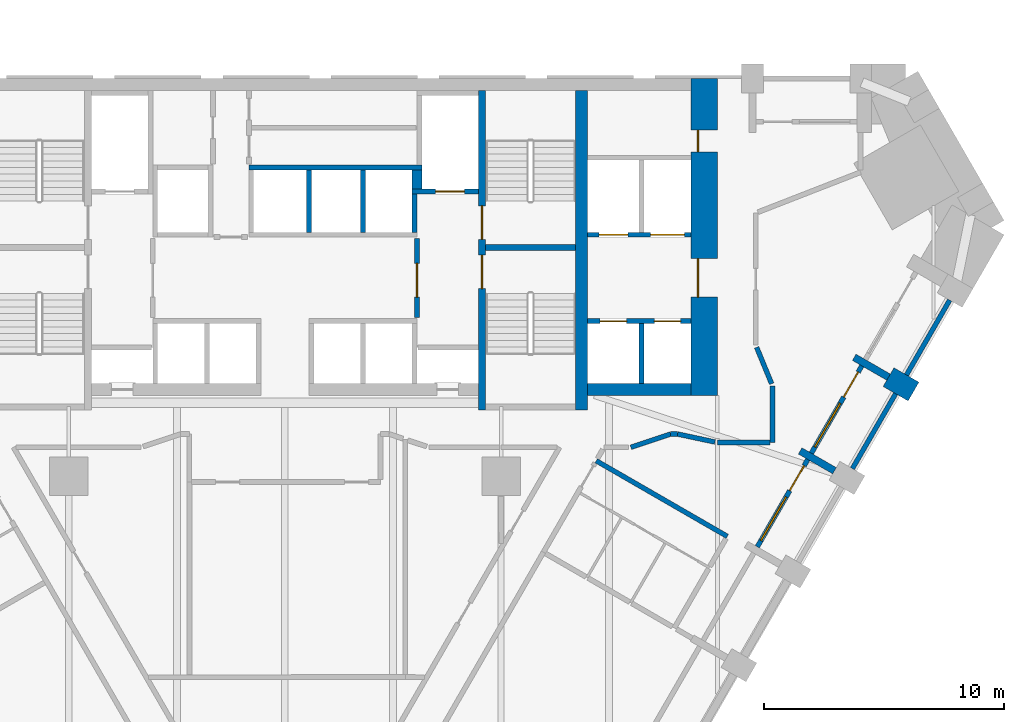
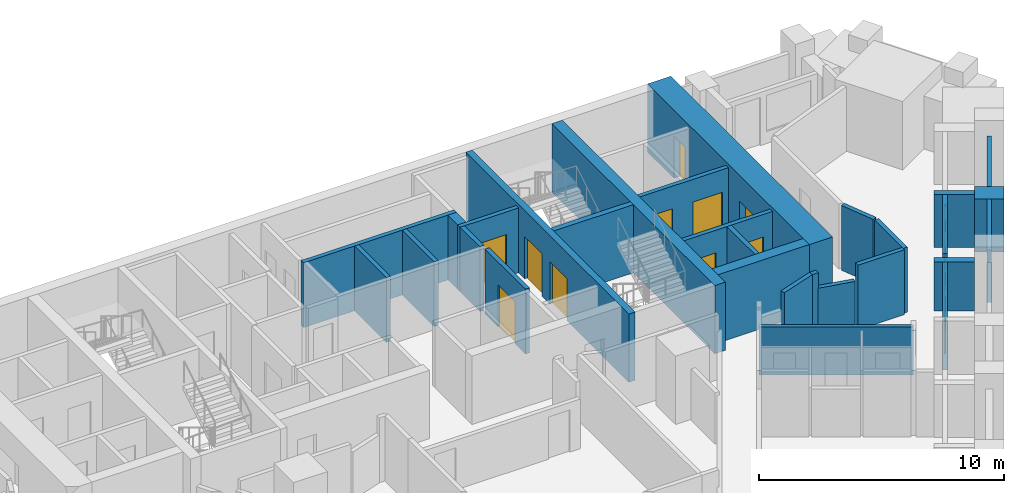
# One storey, part 7 of 10: 29 walls, 12 doors, 2 windows, 14 openings.
"""IFC4 building model written with IfcOpenShell, lengths in metres."""

from ifc_helpers import new_model, si_unit, direction, frame, frame_2d, origin, place, context, subcontext, project, spatial, rectangle, extrude, material, layer, layer_set, type_object, element, fill, save


model = new_model("IFC4")

# Units and contexts
model_context = context("Model", 3, precision=1e-05, world=origin(), true_north=direction((0.0, 1.0)))
body_context = subcontext(model_context, "Body", "Model", "MODEL_VIEW")
ifc_project = project(units=[si_unit("LENGTHUNIT", "METRE"), si_unit("AREAUNIT", "SQUARE_METRE"), si_unit("VOLUMEUNIT", "CUBIC_METRE"), si_unit("PLANEANGLEUNIT", "RADIAN"), si_unit("MASSUNIT", "GRAM", prefix="KILO")], contexts=[model_context])

# Site, building, storey
site_placement = place(None, origin())
site = spatial("IfcSite", under=ifc_project, at=site_placement, CompositionType="ELEMENT")
building_placement = place(site_placement, origin())
building = spatial("IfcBuilding", under=site, at=building_placement, Name="Calabash Gate Tower", CompositionType="ELEMENT")
storey_placement = place(building_placement, frame((0.0, 0.0, 56.199951171875)))
storey = spatial("IfcBuildingStorey", under=building, at=storey_placement, Name="L09", CompositionType="ELEMENT", Elevation=56.199951171875)

# Walls
ifc_material_1 = material(Name="Terracotta brick masonry, exposed face", Category="masonry")
ifc_layer_1 = layer(ifc_material_1, 1.199951171875)
ifc_layer_set_1 = layer_set([ifc_layer_1], Name="Brick end wall 1200")
wall_type_1 = type_object("IfcWallType", Name="Brick end wall 1200", PredefinedType="SOLIDWALL", material=ifc_layer_set_1)
wall_1_placement = place(storey_placement, frame((26.168701171875, 6.0205078125, 0.0), z_axis=(0.0, 0.0, 1.0), x_axis=(-0.865955154139, 0.50012165622, 0.0)))
element("IfcWall", 1, at=wall_1_placement, inside=storey, type_object=wall_type_1, Name="Brick pier S02 SE2.9", PredefinedType="SOLIDWALL", context=body_context, shape_type="SweptSolid", body=[
    extrude(rectangle(XDim=1.199951171875, YDim=0.89990234375, at=frame_2d((0.60009765625, 0.0))), origin(), (0.0, 0.0, 1.0), 2.630126953125),
])
ifc_material_2 = material(Name="Terracotta brick masonry, exposed face", Category="masonry")
ifc_layer_2 = layer(ifc_material_2, 0.300048828125)
ifc_layer_set_2 = layer_set([ifc_layer_2], Name="Brick loggia cheek wall 300")
wall_type_2 = type_object("IfcWallType", Name="Brick loggia cheek wall 300", PredefinedType="SOLIDWALL", material=ifc_layer_set_2)
wall_2_placement = place(storey_placement, frame((22.879638671875, 2.723388671875, 0.0), z_axis=(0.0, 0.0, 1.0), x_axis=(-0.866040211805, 0.499974350878, 0.0)))
element("IfcWall", 2, at=wall_2_placement, inside=storey, type_object=wall_type_2, Name="Loggia cheek S02 SE2.8", PredefinedType="SOLIDWALL", context=body_context, shape_type="SweptSolid", body=[
    extrude(rectangle(XDim=1.64990234375, YDim=0.300048828125, at=frame_2d((0.824951171875, 0.0))), origin(), (0.0, 0.0, 1.0), 2.4501953125),
])
wall_3_placement = place(storey_placement, frame((25.129638671875, 6.62060546875, 0.0), z_axis=(0.0, 0.0, 1.0), x_axis=(-0.866040211805, 0.499974350878, 0.0)))
element("IfcWall", 3, at=wall_3_placement, inside=storey, type_object=wall_type_2, Name="Loggia cheek S02 SE2.9", PredefinedType="SOLIDWALL", context=body_context, shape_type="SweptSolid", body=[
    extrude(rectangle(XDim=1.64990234375, YDim=0.300048828125, at=frame_2d((0.824951171875, 0.0))), origin(), (0.0, 0.0, 1.0), 2.650146484375),
])

# Wall, openings, doors
ifc_material_3 = material(Name="Concrete C80/95", Category="concrete")
ifc_layer_3 = layer(ifc_material_3, 1.10009765625)
ifc_layer_set_3 = layer_set([ifc_layer_3], Name="Core wall 1100 Concrete C80/95")
wall_type_3 = type_object("IfcWallType", Name="Core wall 1100 Concrete C80/95", PredefinedType="SHEAR", material=ifc_layer_set_3)
wall_4_placement = place(storey_placement, frame((17.449951171875, 5.8525390625, 0.0), z_axis=(0.0, 0.0, 1.0), x_axis=(0.0, 1.0, 0.0)))
wall_4 = element("IfcWall", 4, at=wall_4_placement, inside=storey, type_object=wall_type_3, Name="Core wall Z1-ENDE L09", PredefinedType="SHEAR", context=body_context, shape_type="SweptSolid", body=[
    extrude(rectangle(XDim=13.199951171875, YDim=1.10009765625, at=frame_2d((6.60009765625, 0.0))), origin(), (0.0, 0.0, 1.0), 3.400146484375),
])
opening_1_placement = place(wall_4_placement, frame((4.10009765625, 0.0, 0.0)))
opening_1 = element("IfcOpeningElement", 5, at=opening_1_placement, cuts=wall_4, Name="Opening H2-002", PredefinedType="OPENING", context=body_context, shape_type="SweptSolid", body=[
    extrude(rectangle(XDim=1.60009765625, YDim=2.10009765625, at=frame_2d((0.800048828125, 1.050048828125))), frame((0.0, 0.56005859375, 0.0), z_axis=(0.0, -1.0, 0.0), x_axis=(1.0, 0.0, 0.0)), (0.0, 0.0, 1.0), 1.1201171875),
])
opening_2_placement = place(wall_4_placement, frame((10.14990234375, 0.0, 0.0)))
opening_2 = element("IfcOpeningElement", 6, at=opening_2_placement, cuts=wall_4, Name="Opening H2-001", PredefinedType="OPENING", context=body_context, shape_type="SweptSolid", body=[
    extrude(rectangle(XDim=0.89990234375, YDim=2.10009765625, at=frame_2d((0.449951171875, 1.050048828125))), frame((0.0, 0.56005859375, 0.0), z_axis=(0.0, -1.0, 0.0), x_axis=(1.0, 0.0, 0.0)), (0.0, 0.0, 1.0), 1.1201171875),
])
ifc_material_4 = material(Name="Steel fire door set with fire-resisting glazing", Category="steel")
door_type_1 = type_object("IfcDoorType", Name="Double fire door D08 1600x2100 FD60", OperationType="DOUBLE_DOOR_SINGLE_SWING", PredefinedType="DOOR", material=ifc_material_4)
door_1_placement = place(opening_1_placement, origin())
door_1 = element("IfcDoor", 7, at=door_1_placement, inside=storey, type_object=door_type_1, Name="Low-rise Lift Lobby E door", OperationType="DOUBLE_DOOR_SINGLE_SWING", OverallHeight=2.10009765625, OverallWidth=1.60009765625, PredefinedType="DOOR", context=body_context, shape_type="SweptSolid", body=[
    extrude(rectangle(XDim=1.60009765625, YDim=2.10009765625, at=frame_2d((0.800048828125, 1.050048828125))), frame((0.0, 0.27490234375, 0.0), z_axis=(0.0, -1.0, 0.0), x_axis=(1.0, 0.0, 0.0)), (0.0, 0.0, 1.0), 0.050048828125),
])
fill(opening_1, door_1)
ifc_material_5 = material(Name="Steel fire door set with fire-resisting glazing", Category="steel")
door_type_2 = type_object("IfcDoorType", Name="Fire door D06 900x2100 FD60", OperationType="NOTDEFINED", PredefinedType="DOOR", material=ifc_material_5)
door_2_placement = place(opening_2_placement, origin())
door_2 = element("IfcDoor", 8, at=door_2_placement, inside=storey, type_object=door_type_2, Name="Luggage Store door", OperationType="SINGLE_SWING_LEFT", OverallHeight=2.10009765625, OverallWidth=0.89990234375, PredefinedType="DOOR", context=body_context, shape_type="SweptSolid", body=[
    extrude(rectangle(XDim=0.89990234375, YDim=2.10009765625, at=frame_2d((0.449951171875, 1.050048828125))), frame((0.0, 0.27490234375, 0.0), z_axis=(0.0, -1.0, 0.0), x_axis=(1.0, 0.0, 0.0)), (0.0, 0.0, 1.0), 0.050048828125),
])
fill(opening_2, door_2)

# Wall
ifc_material_6 = material(Name="Concrete C80/95", Category="concrete")
ifc_layer_4 = layer(ifc_material_6, 0.25)
ifc_layer_set_4 = layer_set([ifc_layer_4], Name="Core wall 250 Concrete C80/95")
wall_type_4 = type_object("IfcWallType", Name="Core wall 250 Concrete C80/95", PredefinedType="SHEAR", material=ifc_layer_set_4)
wall_5_placement = place(storey_placement, frame((8.35009765625, 12.027587890625, 0.0), z_axis=(0.0, 0.0, 1.0), x_axis=(1.0, 0.0, 0.0)))
element("IfcWall", 9, at=wall_5_placement, inside=storey, type_object=wall_type_4, Name="Core wall Z1-MIDE L09", PredefinedType="SHEAR", context=body_context, shape_type="SweptSolid", body=[
    extrude(rectangle(XDim=3.75, YDim=0.25, at=frame_2d((1.875, 0.0))), origin(), (0.0, 0.0, 1.0), 3.400146484375),
])

# Wall, openings, doors
ifc_material_7 = material(Name="Concrete C80/95", Category="concrete")
ifc_layer_5 = layer(ifc_material_7, 0.300048828125)
ifc_layer_set_5 = layer_set([ifc_layer_5], Name="Core wall 300 Concrete C80/95")
wall_type_5 = type_object("IfcWallType", Name="Core wall 300 Concrete C80/95", PredefinedType="SHEAR", material=ifc_layer_set_5)
wall_6_placement = place(storey_placement, frame((8.199951171875, 5.252685546875, 0.0), z_axis=(0.0, 0.0, 1.0), x_axis=(0.0, 1.0, 0.0)))
wall_6 = element("IfcWall", 10, at=wall_6_placement, inside=storey, type_object=wall_type_5, Name="Core wall Z1-PARTE L09", PredefinedType="SHEAR", context=body_context, shape_type="SweptSolid", body=[
    extrude(rectangle(XDim=13.2998046875, YDim=0.300048828125, at=frame_2d((6.64990234375, 0.0))), origin(), (0.0, 0.0, 1.0), 3.400146484375),
])
opening_3_placement = place(wall_6_placement, frame((7.10009765625, 0.0, 0.0)))
opening_3 = element("IfcOpeningElement", 11, at=opening_3_placement, cuts=wall_6, Name="Opening H2-015", PredefinedType="OPENING", context=body_context, shape_type="SweptSolid", body=[
    extrude(rectangle(XDim=1.39990234375, YDim=2.10009765625, at=frame_2d((0.699951171875, 1.050048828125))), frame((0.0, 0.159912109375, 0.0), z_axis=(0.0, -1.0, 0.0), x_axis=(1.0, 0.0, 0.0)), (0.0, 0.0, 1.0), 0.320068359375),
])
opening_4_placement = place(wall_6_placement, frame((5.050048828125, 0.0, 0.0)))
opening_4 = element("IfcOpeningElement", 12, at=opening_4_placement, cuts=wall_6, Name="Opening H2-016", PredefinedType="OPENING", context=body_context, shape_type="SweptSolid", body=[
    extrude(rectangle(XDim=1.39990234375, YDim=2.10009765625, at=frame_2d((0.699951171875, 1.050048828125))), frame((0.0, 0.159912109375, 0.0), z_axis=(0.0, -1.0, 0.0), x_axis=(1.0, 0.0, 0.0)), (0.0, 0.0, 1.0), 0.320068359375),
])
ifc_material_8 = material(Name="Steel fire door set with fire-resisting glazing", Category="steel")
door_type_3 = type_object("IfcDoorType", Name="Fire door D05 1400x2100 FD90", OperationType="NOTDEFINED", PredefinedType="DOOR", material=ifc_material_8)
door_3_placement = place(opening_3_placement, origin())
door_3 = element("IfcDoor", 13, at=door_3_placement, inside=storey, type_object=door_type_3, Name="Exit stair door ST3", OperationType="SINGLE_SWING_RIGHT", OverallHeight=2.10009765625, OverallWidth=1.39990234375, PredefinedType="DOOR", context=body_context, shape_type="SweptSolid", body=[
    extrude(rectangle(XDim=1.39990234375, YDim=2.10009765625, at=frame_2d((0.699951171875, 1.050048828125))), frame((0.0, 0.02490234375, 0.0), z_axis=(0.0, -1.0, 0.0), x_axis=(1.0, 0.0, 0.0)), (0.0, 0.0, 1.0), 0.050048828125),
])
fill(opening_3, door_3)
door_4_placement = place(opening_4_placement, origin())
door_4 = element("IfcDoor", 14, at=door_4_placement, inside=storey, type_object=door_type_3, Name="Exit stair door ST4", OperationType="SINGLE_SWING_LEFT", OverallHeight=2.10009765625, OverallWidth=1.39990234375, PredefinedType="DOOR", context=body_context, shape_type="SweptSolid", body=[
    extrude(rectangle(XDim=1.39990234375, YDim=2.10009765625, at=frame_2d((0.699951171875, 1.050048828125))), frame((0.0, 0.02490234375, 0.0), z_axis=(0.0, -1.0, 0.0), x_axis=(1.0, 0.0, 0.0)), (0.0, 0.0, 1.0), 0.050048828125),
])
fill(opening_4, door_4)

# Walls
ifc_material_9 = material(Name="Concrete C80/95", Category="concrete")
ifc_layer_6 = layer(ifc_material_9, 0.5)
ifc_layer_set_6 = layer_set([ifc_layer_6], Name="Core wall 500 Concrete C80/95")
wall_type_6 = type_object("IfcWallType", Name="Core wall 500 Concrete C80/95", PredefinedType="SHEAR", material=ifc_layer_set_6)
wall_7_placement = place(storey_placement, frame((12.35009765625, 5.252685546875, 0.0), z_axis=(0.0, 0.0, 1.0), x_axis=(0.0, 1.0, 0.0)))
element("IfcWall", 15, at=wall_7_placement, inside=storey, type_object=wall_type_6, Name="Core wall Z1-COLE L09", PredefinedType="SHEAR", context=body_context, shape_type="SweptSolid", body=[
    extrude(rectangle(XDim=13.2998046875, YDim=0.5, at=frame_2d((6.64990234375, 0.0))), origin(), (0.0, 0.0, 1.0), 3.400146484375),
])
wall_8_placement = place(storey_placement, frame((12.60009765625, 6.1025390625, 0.0), z_axis=(0.0, 0.0, 1.0), x_axis=(1.0, 0.0, 0.0)))
element("IfcWall", 16, at=wall_8_placement, inside=storey, type_object=wall_type_6, Name="Core wall Z1-SE L09", PredefinedType="SHEAR", context=body_context, shape_type="SweptSolid", body=[
    extrude(rectangle(XDim=4.2998046875, YDim=0.5, at=frame_2d((2.14990234375, 0.0))), origin(), (0.0, 0.0, 1.0), 3.400146484375),
])
ifc_material_10 = material(Name="Gypsum board on steel studs, mineral wool", Category="steel")
ifc_layer_7 = layer(ifc_material_10, 0.199951171875)
ifc_layer_set_7 = layer_set([ifc_layer_7], Name="Partition 200 gypsum board EI 60")
wall_type_7 = type_object("IfcWallType", Name="Partition 200 gypsum board EI 60", PredefinedType="PARTITIONING", material=ifc_layer_set_7)
wall_9_placement = place(storey_placement, frame((12.96044921875, 3.138916015625, 0.0), z_axis=(0.0, 0.0, 1.0), x_axis=(0.866164933594, -0.499758249369, 0.0)))
element("IfcWall", 17, at=wall_9_placement, inside=storey, type_object=wall_type_7, Name="Partition", PredefinedType="PARTITIONING", context=body_context, shape_type="SweptSolid", body=[
    extrude(rectangle(XDim=6.2978515625, YDim=0.199951171875, at=frame_2d((3.14892578125, 0.0))), origin(), (0.0, 0.0, 1.0), 2.384033203125),
])
wall_10_placement = place(storey_placement, frame((14.400146484375, 3.699462890625, 0.0), z_axis=(0.0, 0.0, 1.0), x_axis=(0.948655351627, 0.316311592943, 0.0)))
element("IfcWall", 18, at=wall_10_placement, inside=storey, type_object=wall_type_7, Name="Partition", PredefinedType="PARTITIONING", context=body_context, shape_type="SweptSolid", body=[
    extrude(rectangle(XDim=1.747314453125, YDim=0.199951171875, at=frame_2d((0.87353515625, 0.0))), origin(), (0.0, 0.0, 1.0), 3.22998046875),
])
wall_11_placement = place(storey_placement, frame((18.0, 3.8994140625, 0.0), z_axis=(0.0, 0.0, 1.0), x_axis=(0.999999975374, 0.000221926315, 0.0)))
element("IfcWall", 19, at=wall_11_placement, inside=storey, type_object=wall_type_7, Name="Partition", PredefinedType="PARTITIONING", context=body_context, shape_type="SweptSolid", body=[
    extrude(rectangle(XDim=2.2001953125, YDim=0.199951171875, at=frame_2d((1.10009765625, 0.0))), origin(), (0.0, 0.0, 1.0), 3.22998046875),
])
wall_12_placement = place(storey_placement, frame((20.30029296875, 3.89990234375, 0.0), z_axis=(0.0, 0.0, 1.0), x_axis=(0.000103766732, 0.999999994616, 0.0)))
element("IfcWall", 20, at=wall_12_placement, inside=storey, type_object=wall_type_7, Name="Partition", PredefinedType="PARTITIONING", context=body_context, shape_type="SweptSolid", body=[
    extrude(rectangle(XDim=2.352783203125, YDim=0.199951171875, at=frame_2d((1.17626953125, 0.0))), origin(), (0.0, 0.0, 1.0), 3.22998046875),
])
wall_13_placement = place(storey_placement, frame((16.057861328125, 4.252197265625, 0.0), z_axis=(0.0, 0.0, 1.0), x_axis=(1.0, 0.0, 0.0)))
element("IfcWall", 21, at=wall_13_placement, inside=storey, type_object=wall_type_7, Name="Partition", PredefinedType="PARTITIONING", context=body_context, shape_type="SweptSolid", body=[
    extrude(rectangle(XDim=0.284423828125, YDim=0.199951171875, at=frame_2d((0.14208984375, 0.0))), origin(), (0.0, 0.0, 1.0), 3.22998046875),
])
wall_14_placement = place(storey_placement, frame((16.34228515625, 4.252197265625, 0.0), z_axis=(0.0, 0.0, 1.0), x_axis=(0.978117199083, -0.208054667953, 0.0)))
element("IfcWall", 22, at=wall_14_placement, inside=storey, type_object=wall_type_7, Name="Partition", PredefinedType="PARTITIONING", context=body_context, shape_type="SweptSolid", body=[
    extrude(rectangle(XDim=1.5947265625, YDim=0.199951171875, at=frame_2d((0.79736328125, 0.0))), origin(), (0.0, 0.0, 1.0), 2.4501953125),
])
wall_15_placement = place(storey_placement, frame((19.638671875, 7.860107421875, 0.0), z_axis=(0.0, 0.0, 1.0), x_axis=(0.380749805254, -0.924678098475, 0.0)))
element("IfcWall", 23, at=wall_15_placement, inside=storey, type_object=wall_type_7, Name="Partition", PredefinedType="PARTITIONING", context=body_context, shape_type="SweptSolid", body=[
    extrude(rectangle(XDim=1.63818359375, YDim=0.199951171875, at=frame_2d((0.819091796875, 0.0))), origin(), (0.0, 0.0, 1.0), 3.22998046875),
])
ifc_material_11 = material(Name="Concrete C40/50", Category="concrete")
ifc_layer_8 = layer(ifc_material_11, 0.199951171875)
ifc_layer_set_8 = layer_set([ifc_layer_8], Name="Shaft wall 200 Concrete C40/50")
wall_type_8 = type_object("IfcWallType", Name="Shaft wall 200 Concrete C40/50", PredefinedType="SOLIDWALL", material=ifc_layer_set_8)
wall_16_placement = place(storey_placement, frame((14.85009765625, 6.3525390625, 0.0), z_axis=(0.0, 0.0, 1.0), x_axis=(0.0, 1.0, 0.0)))
element("IfcWall", 24, at=wall_16_placement, inside=storey, type_object=wall_type_8, Name="Shaft wall", PredefinedType="SOLIDWALL", context=body_context, shape_type="SweptSolid", body=[
    extrude(rectangle(XDim=2.5, YDim=0.199951171875, at=frame_2d((1.25, 0.0))), origin(), (0.0, 0.0, 1.0), 3.22998046875),
])

# Wall, openings, doors
wall_17_placement = place(storey_placement, frame((12.60009765625, 8.95263671875, 0.0), z_axis=(0.0, 0.0, 1.0), x_axis=(1.0, 0.0, 0.0)))
wall_17 = element("IfcWall", 25, at=wall_17_placement, inside=storey, type_object=wall_type_8, Name="Shaft wall", PredefinedType="SOLIDWALL", context=body_context, shape_type="SweptSolid", body=[
    extrude(rectangle(XDim=4.2998046875, YDim=0.199951171875, at=frame_2d((2.14990234375, 0.0))), origin(), (0.0, 0.0, 1.0), 3.22998046875),
])
opening_5_placement = place(wall_17_placement, frame((0.52490234375, 0.0, 0.0)))
opening_5 = element("IfcOpeningElement", 26, at=opening_5_placement, cuts=wall_17, Name="Opening LD-LR5", PredefinedType="OPENING", context=body_context, shape_type="SweptSolid", body=[
    extrude(rectangle(XDim=1.10009765625, YDim=2.10009765625, at=frame_2d((0.550048828125, 1.050048828125))), frame((0.0, 0.10986328125, 0.0), z_axis=(0.0, -1.0, 0.0), x_axis=(1.0, 0.0, 0.0)), (0.0, 0.0, 1.0), 0.219970703125),
])
opening_6_placement = place(wall_17_placement, frame((2.77490234375, 0.0, 0.0)))
opening_6 = element("IfcOpeningElement", 27, at=opening_6_placement, cuts=wall_17, Name="Opening LD-LR6", PredefinedType="OPENING", context=body_context, shape_type="SweptSolid", body=[
    extrude(rectangle(XDim=1.10009765625, YDim=2.10009765625, at=frame_2d((0.550048828125, 1.050048828125))), frame((0.0, 0.10986328125, 0.0), z_axis=(0.0, -1.0, 0.0), x_axis=(1.0, 0.0, 0.0)), (0.0, 0.0, 1.0), 0.219970703125),
])
ifc_material_12 = material(Name="Stainless steel sliding door leaves", Category="steel")
door_type_4 = type_object("IfcDoorType", Name="Lift landing door LS1 1100x2100 FD90", OperationType="DOUBLE_DOOR_SLIDING", PredefinedType="DOOR", material=ifc_material_12)
door_5_placement = place(opening_5_placement, origin())
door_5 = element("IfcDoor", 28, at=door_5_placement, inside=storey, type_object=door_type_4, Name="Lift landing door LR5", OperationType="DOUBLE_DOOR_SLIDING", OverallHeight=2.10009765625, OverallWidth=1.10009765625, PredefinedType="DOOR", context=body_context, shape_type="SweptSolid", body=[
    extrude(rectangle(XDim=1.10009765625, YDim=2.10009765625, at=frame_2d((0.550048828125, 1.050048828125))), frame((0.0, 0.02490234375, 0.0), z_axis=(0.0, -1.0, 0.0), x_axis=(1.0, 0.0, 0.0)), (0.0, 0.0, 1.0), 0.050048828125),
])
fill(opening_5, door_5)
door_6_placement = place(opening_6_placement, origin())
door_6 = element("IfcDoor", 29, at=door_6_placement, inside=storey, type_object=door_type_4, Name="Lift landing door LR6", OperationType="DOUBLE_DOOR_SLIDING", OverallHeight=2.10009765625, OverallWidth=1.10009765625, PredefinedType="DOOR", context=body_context, shape_type="SweptSolid", body=[
    extrude(rectangle(XDim=1.10009765625, YDim=2.10009765625, at=frame_2d((0.550048828125, 1.050048828125))), frame((0.0, 0.02490234375, 0.0), z_axis=(0.0, -1.0, 0.0), x_axis=(1.0, 0.0, 0.0)), (0.0, 0.0, 1.0), 0.050048828125),
])
fill(opening_6, door_6)

# Wall, opening, door
wall_18_placement = place(storey_placement, frame((5.5, 9.1025390625, 0.0), z_axis=(0.0, 0.0, 1.0), x_axis=(0.0, 1.0, 0.0)))
wall_18 = element("IfcWall", 30, at=wall_18_placement, inside=storey, type_object=wall_type_8, Name="Shaft wall", PredefinedType="SOLIDWALL", context=body_context, shape_type="SweptSolid", body=[
    extrude(rectangle(XDim=3.300048828125, YDim=0.199951171875, at=frame_2d((1.64990234375, 0.0))), origin(), (0.0, 0.0, 1.0), 3.22998046875),
])
opening_7_placement = place(wall_18_placement, frame((0.85009765625, 0.0, 0.0)))
opening_7 = element("IfcOpeningElement", 31, at=opening_7_placement, cuts=wall_18, Name="Opening H2-006", PredefinedType="OPENING", context=body_context, shape_type="SweptSolid", body=[
    extrude(rectangle(XDim=1.39990234375, YDim=2.10009765625, at=frame_2d((0.699951171875, 1.050048828125))), frame((0.0, 0.10986328125, 0.0), z_axis=(0.0, -1.0, 0.0), x_axis=(1.0, 0.0, 0.0)), (0.0, 0.0, 1.0), 0.219970703125),
])
door_7_placement = place(opening_7_placement, origin())
door_7 = element("IfcDoor", 32, at=door_7_placement, inside=storey, type_object=door_type_3, Name="Firefighting Lobby E door", OperationType="SINGLE_SWING_LEFT", OverallHeight=2.10009765625, OverallWidth=1.39990234375, PredefinedType="DOOR", context=body_context, shape_type="SweptSolid", body=[
    extrude(rectangle(XDim=1.39990234375, YDim=2.10009765625, at=frame_2d((0.699951171875, 1.050048828125))), frame((0.0, 0.02490234375, 0.0), z_axis=(0.0, -1.0, 0.0), x_axis=(1.0, 0.0, 0.0)), (0.0, 0.0, 1.0), 0.050048828125),
])
fill(opening_7, door_7)

# Wall, openings, doors
wall_19_placement = place(storey_placement, frame((12.60009765625, 12.552490234375, 0.0), z_axis=(0.0, 0.0, 1.0), x_axis=(1.0, 0.0, 0.0)))
wall_19 = element("IfcWall", 33, at=wall_19_placement, inside=storey, type_object=wall_type_8, Name="Shaft wall", PredefinedType="SOLIDWALL", context=body_context, shape_type="SweptSolid", body=[
    extrude(rectangle(XDim=4.2998046875, YDim=0.199951171875, at=frame_2d((2.14990234375, 0.0))), origin(), (0.0, 0.0, 1.0), 3.22998046875),
])
opening_8_placement = place(wall_19_placement, frame((0.47509765625, 0.0, 0.0)))
opening_8 = element("IfcOpeningElement", 34, at=opening_8_placement, cuts=wall_19, Name="Opening LD-SL1", PredefinedType="OPENING", context=body_context, shape_type="SweptSolid", body=[
    extrude(rectangle(XDim=1.199951171875, YDim=2.10009765625, at=frame_2d((0.60009765625, 1.050048828125))), frame((0.0, 0.10986328125, 0.0), z_axis=(0.0, -1.0, 0.0), x_axis=(1.0, 0.0, 0.0)), (0.0, 0.0, 1.0), 0.219970703125),
])
opening_9_placement = place(wall_19_placement, frame((2.625, 0.0, 0.0)))
opening_9 = element("IfcOpeningElement", 35, at=opening_9_placement, cuts=wall_19, Name="Opening LD-GL1", PredefinedType="OPENING", context=body_context, shape_type="SweptSolid", body=[
    extrude(rectangle(XDim=1.39990234375, YDim=2.10009765625, at=frame_2d((0.699951171875, 1.050048828125))), frame((0.0, 0.10986328125, 0.0), z_axis=(0.0, -1.0, 0.0), x_axis=(1.0, 0.0, 0.0)), (0.0, 0.0, 1.0), 0.219970703125),
])
ifc_material_13 = material(Name="Stainless steel sliding door leaves", Category="steel")
door_type_5 = type_object("IfcDoorType", Name="Lift landing door LS3 1200x2100 FD90", OperationType="DOUBLE_DOOR_SLIDING", PredefinedType="DOOR", material=ifc_material_13)
door_8_placement = place(opening_8_placement, origin())
door_8 = element("IfcDoor", 36, at=door_8_placement, inside=storey, type_object=door_type_5, Name="Lift landing door SL1", OperationType="DOUBLE_DOOR_SLIDING", OverallHeight=2.10009765625, OverallWidth=1.199951171875, PredefinedType="DOOR", context=body_context, shape_type="SweptSolid", body=[
    extrude(rectangle(XDim=1.199951171875, YDim=2.10009765625, at=frame_2d((0.60009765625, 1.050048828125))), frame((0.0, 0.02490234375, 0.0), z_axis=(0.0, -1.0, 0.0), x_axis=(1.0, 0.0, 0.0)), (0.0, 0.0, 1.0), 0.050048828125),
])
fill(opening_8, door_8)
ifc_material_14 = material(Name="Stainless steel sliding door leaves", Category="steel")
door_type_6 = type_object("IfcDoorType", Name="Lift landing door LS4 1400x2100 FD90", OperationType="DOUBLE_DOOR_SLIDING", PredefinedType="DOOR", material=ifc_material_14)
door_9_placement = place(opening_9_placement, origin())
door_9 = element("IfcDoor", 37, at=door_9_placement, inside=storey, type_object=door_type_6, Name="Lift landing door GL1", OperationType="DOUBLE_DOOR_SLIDING", OverallHeight=2.10009765625, OverallWidth=1.39990234375, PredefinedType="DOOR", context=body_context, shape_type="SweptSolid", body=[
    extrude(rectangle(XDim=1.39990234375, YDim=2.10009765625, at=frame_2d((0.699951171875, 1.050048828125))), frame((0.0, 0.02490234375, 0.0), z_axis=(0.0, -1.0, 0.0), x_axis=(1.0, 0.0, 0.0)), (0.0, 0.0, 1.0), 0.050048828125),
])
fill(opening_9, door_9)

# Walls
for number, where, z_axis, x_axis, name in (
    (38, (1.0, 12.652587890625, 0.0), (0.0, 0.0, 1.0), (0.0, 1.0, 0.0), "Shaft wall"),
    (39, (3.25, 12.652587890625, 0.0), (0.0, 0.0, 1.0), (0.0, 1.0, 0.0), "Shaft wall"),
):
    element("IfcWall", number, at=place(storey_placement, frame(where, z_axis=z_axis, x_axis=x_axis)), inside=storey, type_object=wall_type_8, Name=name, PredefinedType="SOLIDWALL", context=body_context, shape_type="SweptSolid", body=[
        extrude(rectangle(XDim=2.60009765625, YDim=0.199951171875, at=frame_2d((1.300048828125, 0.0))), origin(), (0.0, 0.0, 1.0), 3.22998046875),
    ])
wall_20_placement = place(storey_placement, frame((5.39990234375, 12.652587890625, 0.0), z_axis=(0.0, 0.0, 1.0), x_axis=(0.0, 1.0, 0.0)))
element("IfcWall", 40, at=wall_20_placement, inside=storey, type_object=wall_type_8, Name="Shaft wall", PredefinedType="SOLIDWALL", context=body_context, shape_type="SweptSolid", body=[
    extrude(rectangle(XDim=1.60009765625, YDim=0.199951171875, at=frame_2d((0.800048828125, 0.0))), origin(), (0.0, 0.0, 1.0), 3.22998046875),
])

# Wall, opening, door
wall_21_placement = place(storey_placement, frame((5.300048828125, 14.3525390625, 0.0), z_axis=(0.0, 0.0, 1.0), x_axis=(1.0, 0.0, 0.0)))
wall_21 = element("IfcWall", 41, at=wall_21_placement, inside=storey, type_object=wall_type_8, Name="Shaft wall", PredefinedType="SOLIDWALL", context=body_context, shape_type="SweptSolid", body=[
    extrude(rectangle(XDim=2.75, YDim=0.199951171875, at=frame_2d((1.375, 0.0))), origin(), (0.0, 0.0, 1.0), 3.22998046875),
])
opening_10_placement = place(wall_21_placement, frame((0.97509765625, 0.0, 0.0)))
opening_10 = element("IfcOpeningElement", 42, at=opening_10_placement, cuts=wall_21, Name="Opening LD-FF2", PredefinedType="OPENING", context=body_context, shape_type="SweptSolid", body=[
    extrude(rectangle(XDim=1.199951171875, YDim=2.10009765625, at=frame_2d((0.60009765625, 1.050048828125))), frame((0.0, 0.10986328125, 0.0), z_axis=(0.0, -1.0, 0.0), x_axis=(1.0, 0.0, 0.0)), (0.0, 0.0, 1.0), 0.219970703125),
])
door_10_placement = place(opening_10_placement, origin())
door_10 = element("IfcDoor", 43, at=door_10_placement, inside=storey, type_object=door_type_5, Name="Lift landing door FF2", OperationType="DOUBLE_DOOR_SLIDING", OverallHeight=2.10009765625, OverallWidth=1.199951171875, PredefinedType="DOOR", context=body_context, shape_type="SweptSolid", body=[
    extrude(rectangle(XDim=1.199951171875, YDim=2.10009765625, at=frame_2d((0.60009765625, 1.050048828125))), frame((0.0, 0.02490234375, 0.0), z_axis=(0.0, -1.0, 0.0), x_axis=(1.0, 0.0, 0.0)), (0.0, 0.0, 1.0), 0.050048828125),
])
fill(opening_10, door_10)

# Walls
wall_22_placement = place(storey_placement, frame((5.5, 14.45263671875, 0.0), z_axis=(0.0, 0.0, 1.0), x_axis=(0.0, 1.0, 0.0)))
element("IfcWall", 44, at=wall_22_placement, inside=storey, type_object=wall_type_8, Name="Shaft wall", PredefinedType="SOLIDWALL", context=body_context, shape_type="SweptSolid", body=[
    extrude(rectangle(XDim=0.800048828125, YDim=0.39990234375, at=frame_2d((0.39990234375, 0.0))), origin(), (0.0, 0.0, 1.0), 3.22998046875),
])
wall_23_placement = place(storey_placement, frame((-1.5, 15.3525390625, 0.0), z_axis=(0.0, 0.0, 1.0), x_axis=(1.0, 0.0, 0.0)))
element("IfcWall", 45, at=wall_23_placement, inside=storey, type_object=wall_type_8, Name="Shaft wall", PredefinedType="SOLIDWALL", context=body_context, shape_type="SweptSolid", body=[
    extrude(rectangle(XDim=7.199951171875, YDim=0.199951171875, at=frame_2d((3.60009765625, 0.0))), origin(), (0.0, 0.0, 1.0), 3.22998046875),
])
ifc_material_15 = material(Name="Terracotta brick masonry, perforated", Category="masonry")
ifc_layer_9 = layer(ifc_material_15, 0.199951171875)
ifc_layer_set_9 = layer_set([ifc_layer_9], Name="Terracotta jaali screen B")
wall_type_9 = type_object("IfcWallType", Name="Terracotta jaali screen B", PredefinedType="SOLIDWALL", material=ifc_layer_set_9)
for number, where, z_axis, x_axis, name in (
    (46, (23.624267578125, 2.813232421875, 0.0), (0.0, 0.0, 1.0), (0.499961193289, 0.866047807691, 0.0), "SCREEN B S02 SE2.9"),
    (47, (25.874267578125, 6.710205078125, 0.0), (0.0, 0.0, 1.0), (0.499961193289, 0.866047807691, 0.0), "SCREEN B S02 SE2.10"),
):
    element("IfcWall", number, at=place(storey_placement, frame(where, z_axis=z_axis, x_axis=x_axis)), inside=storey, type_object=wall_type_9, Name=name, PredefinedType="SOLIDWALL", context=body_context, shape_type="SweptSolid", body=[
        extrude(rectangle(XDim=3.599853515625, YDim=0.199951171875, at=frame_2d((1.7998046875, 0.0))), origin(), (0.0, 0.0, 1.0), 2.630126953125),
    ])

# Wall, openings, door, window
ifc_material_16 = material(Name="Aluminium framed window wall with insulated spandrel", Category="aluminium")
ifc_layer_10 = layer(ifc_material_16, 0.199951171875)
ifc_layer_set_10 = layer_set([ifc_layer_10], Name="Window wall 200")
wall_type_10 = type_object("IfcWallType", Name="Window wall 200", PredefinedType="ELEMENTEDWALL", material=ifc_layer_set_10)
wall_24_placement = place(storey_placement, frame((19.665283203125, -0.44384765625, 0.0), z_axis=(0.0, 0.0, 1.0), x_axis=(0.500002543286, 0.866023935413, 0.0)))
wall_24 = element("IfcWall", 48, at=wall_24_placement, inside=storey, type_object=wall_type_10, Name="Window wall S02 SE2.8", PredefinedType="ELEMENTEDWALL", context=body_context, shape_type="SweptSolid", body=[
    extrude(rectangle(XDim=4.2001953125, YDim=0.199951171875, at=frame_2d((2.10009765625, 0.0))), origin(), (0.0, 0.0, 1.0), 2.4501953125),
])
opening_11_placement = place(wall_24_placement, frame((0.300048828125, 0.0, 0.60009765625)))
opening_11 = element("IfcOpeningElement", 49, at=opening_11_placement, cuts=wall_24, Name="Opening HW1L-1750", PredefinedType="OPENING", context=body_context, shape_type="SweptSolid", body=[
    extrude(rectangle(XDim=2.10009765625, YDim=1.75, at=frame_2d((1.050048828125, 0.875))), frame((0.0, 0.10986328125, 0.0), z_axis=(0.0, -1.0, 0.0), x_axis=(1.0, 0.0, 0.0)), (0.0, 0.0, 1.0), 0.219970703125),
])
opening_12_placement = place(wall_24_placement, frame((2.699951171875, 0.0, 0.0)))
opening_12 = element("IfcOpeningElement", 50, at=opening_12_placement, cuts=wall_24, Name="Opening H2-020", PredefinedType="OPENING", context=body_context, shape_type="SweptSolid", body=[
    extrude(rectangle(XDim=1.199951171875, YDim=2.35009765625, at=frame_2d((0.60009765625, 1.175048828125))), frame((0.0, 0.10986328125, 0.0), z_axis=(0.0, -1.0, 0.0), x_axis=(1.0, 0.0, 0.0)), (0.0, 0.0, 1.0), 0.219970703125),
])
ifc_material_17 = material(Name="Anodised aluminium frame, bronze finish, impact-rated laminated clear glazing", Category="aluminium")
door_type_7 = type_object("IfcDoorType", Name="Loggia door DH1L-2350 1200x2350", OperationType="SLIDING_TO_LEFT", PredefinedType="DOOR", material=ifc_material_17)
door_11_placement = place(opening_12_placement, origin())
door_11 = element("IfcDoor", 51, at=door_11_placement, inside=storey, type_object=door_type_7, Name="Loggia door S02 SE2.8", OperationType="SINGLE_SWING_LEFT", OverallHeight=2.35009765625, OverallWidth=1.199951171875, PredefinedType="DOOR", context=body_context, shape_type="SweptSolid", body=[
    extrude(rectangle(XDim=1.199951171875, YDim=2.35009765625, at=frame_2d((0.60009765625, 1.175048828125))), frame((0.0, 0.02490234375, 0.0), z_axis=(0.0, -1.0, 0.0), x_axis=(1.0, 0.0, 0.0)), (0.0, 0.0, 1.0), 0.050048828125),
])
fill(opening_12, door_11)
ifc_material_18 = material(Name="Anodised aluminium frame, bronze finish, impact-rated laminated clear glazing", Category="aluminium")
window_type_1 = type_object("IfcWindowType", Name="Window HW1L 2100x1750", PartitioningType="DOUBLE_PANEL_VERTICAL", PredefinedType="WINDOW", material=ifc_material_18)
window_1_placement = place(opening_11_placement, origin())
window_1 = element("IfcWindow", 52, at=window_1_placement, inside=storey, type_object=window_type_1, Name="Window HW1 S02 SE2.8", OverallHeight=1.75, OverallWidth=2.10009765625, PartitioningType="SINGLE_PANEL", PredefinedType="WINDOW", context=body_context, shape_type="SweptSolid", body=[
    extrude(rectangle(XDim=2.10009765625, YDim=1.75, at=frame_2d((1.050048828125, 0.875))), frame((0.0, 0.030029296875, 0.0), z_axis=(0.0, -1.0, 0.0), x_axis=(1.0, 0.0, 0.0)), (0.0, 0.0, 1.0), 0.06005859375),
])
fill(opening_11, window_1)

wall_25_placement = place(storey_placement, frame((21.915283203125, 3.453369140625, 0.0), z_axis=(0.0, 0.0, 1.0), x_axis=(0.500027713859, 0.866009402589, 0.0)))
wall_25 = element("IfcWall", 53, at=wall_25_placement, inside=storey, type_object=wall_type_10, Name="Window wall S02 SE2.9", PredefinedType="ELEMENTEDWALL", context=body_context, shape_type="SweptSolid", body=[
    extrude(rectangle(XDim=4.199951171875, YDim=0.199951171875, at=frame_2d((2.10009765625, 0.0))), origin(), (0.0, 0.0, 1.0), 2.650146484375),
])
opening_13_placement = place(wall_25_placement, frame((0.300048828125, 0.0, 0.60009765625)))
opening_13 = element("IfcOpeningElement", 54, at=opening_13_placement, cuts=wall_25, Name="Opening HW1", PredefinedType="OPENING", context=body_context, shape_type="SweptSolid", body=[
    extrude(rectangle(XDim=2.10009765625, YDim=1.800048828125, at=frame_2d((1.050048828125, 0.89990234375))), frame((0.0, 0.10986328125, 0.0), z_axis=(0.0, -1.0, 0.0), x_axis=(1.0, 0.0, 0.0)), (0.0, 0.0, 1.0), 0.219970703125),
])
opening_14_placement = place(wall_25_placement, frame((2.699951171875, 0.0, 0.0)))
opening_14 = element("IfcOpeningElement", 55, at=opening_14_placement, cuts=wall_25, Name="Opening H2-021", PredefinedType="OPENING", context=body_context, shape_type="SweptSolid", body=[
    extrude(rectangle(XDim=1.199951171875, YDim=2.39990234375, at=frame_2d((0.60009765625, 1.199951171875))), frame((0.0, 0.10986328125, 0.0), z_axis=(0.0, -1.0, 0.0), x_axis=(1.0, 0.0, 0.0)), (0.0, 0.0, 1.0), 0.219970703125),
])
ifc_material_19 = material(Name="Anodised aluminium frame, bronze finish, impact-rated laminated clear glazing", Category="aluminium")
door_type_8 = type_object("IfcDoorType", Name="Loggia door DH1 1200x2400", OperationType="SLIDING_TO_LEFT", PredefinedType="DOOR", material=ifc_material_19)
door_12_placement = place(opening_14_placement, origin())
door_12 = element("IfcDoor", 56, at=door_12_placement, inside=storey, type_object=door_type_8, Name="Loggia door S02 SE2.9", OperationType="SINGLE_SWING_LEFT", OverallHeight=2.39990234375, OverallWidth=1.199951171875, PredefinedType="DOOR", context=body_context, shape_type="SweptSolid", body=[
    extrude(rectangle(XDim=1.199951171875, YDim=2.39990234375, at=frame_2d((0.60009765625, 1.199951171875))), frame((0.0, 0.02490234375, 0.0), z_axis=(0.0, -1.0, 0.0), x_axis=(1.0, 0.0, 0.0)), (0.0, 0.0, 1.0), 0.050048828125),
])
fill(opening_14, door_12)
ifc_material_20 = material(Name="Anodised aluminium frame, bronze finish, impact-rated laminated clear glazing", Category="aluminium")
window_type_2 = type_object("IfcWindowType", Name="Window HW1 2100x1800", PartitioningType="DOUBLE_PANEL_VERTICAL", PredefinedType="WINDOW", material=ifc_material_20)
window_2_placement = place(opening_13_placement, origin())
window_2 = element("IfcWindow", 57, at=window_2_placement, inside=storey, type_object=window_type_2, Name="Window HW1 S02 SE2.9", OverallHeight=1.800048828125, OverallWidth=2.10009765625, PartitioningType="SINGLE_PANEL", PredefinedType="WINDOW", context=body_context, shape_type="SweptSolid", body=[
    extrude(rectangle(XDim=2.10009765625, YDim=1.800048828125, at=frame_2d((1.050048828125, 0.89990234375))), frame((0.0, 0.030029296875, 0.0), z_axis=(0.0, -1.0, 0.0), x_axis=(1.0, 0.0, 0.0)), (0.0, 0.0, 1.0), 0.06005859375),
])
fill(opening_13, window_2)

save(model, "model.ifc")
